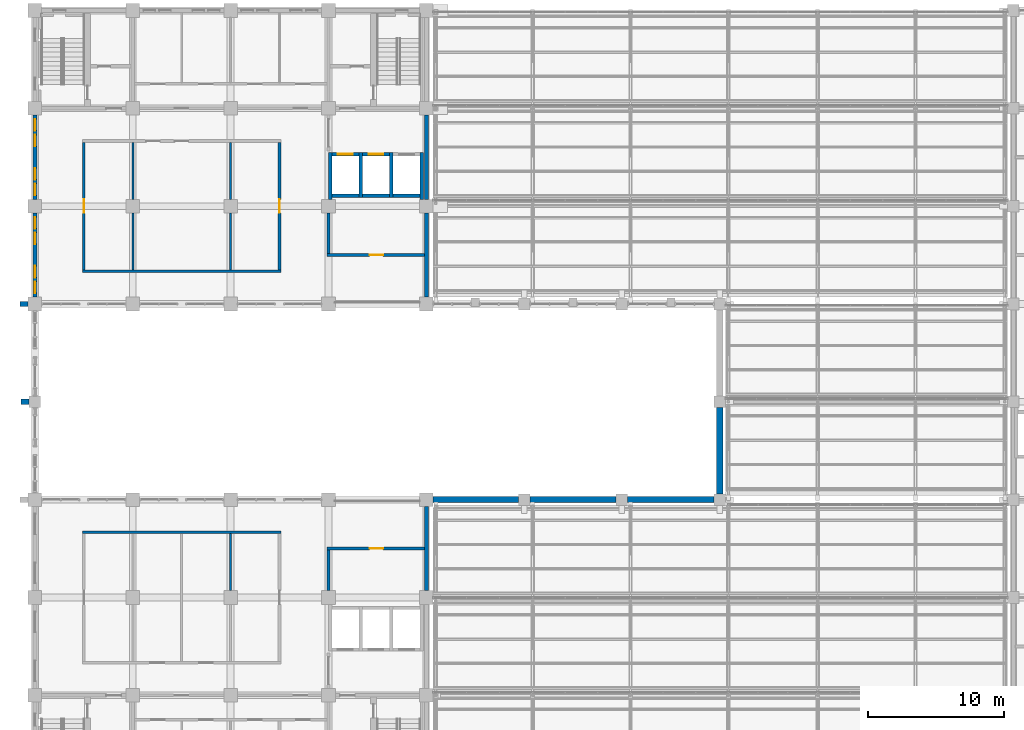
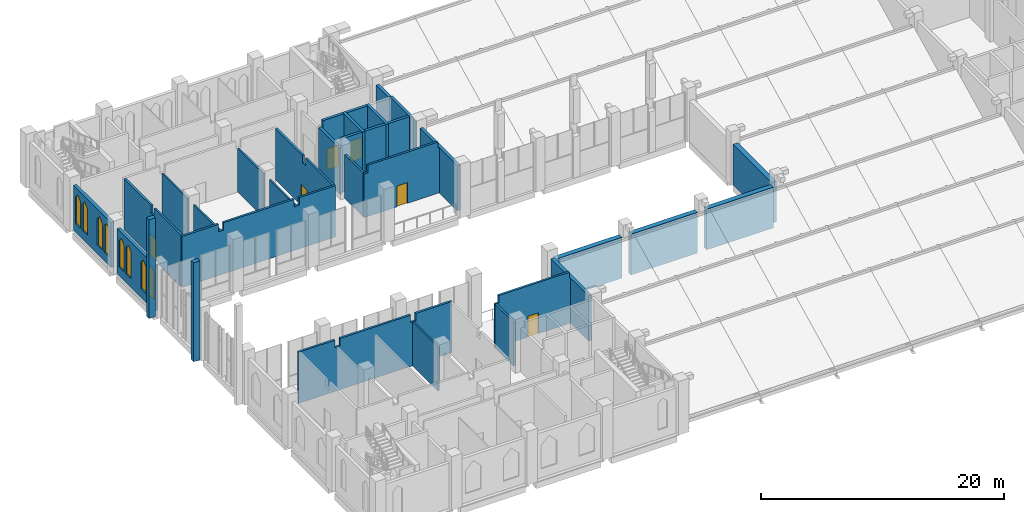
# One storey, part 71 of 83: 33 walls, 8 windows, 6 doors, 14 openings.
"""IFC4 building model written with IfcOpenShell, lengths in metres."""

from ifc_helpers import new_model, si_unit, direction, frame, frame_2d, origin, place, context, subcontext, project, spatial, polyline, rectangle, outline, extrude, material, layer, layer_set, type_object, element, fill, save


model = new_model("IFC4")

# Units and contexts
model_context = context("Model", 3, precision=1e-05, world=origin(), true_north=direction((0.0, 1.0)))
body_context = subcontext(model_context, "Body", "Model", "MODEL_VIEW")
ifc_project = project(units=[si_unit("LENGTHUNIT", "METRE"), si_unit("AREAUNIT", "SQUARE_METRE"), si_unit("VOLUMEUNIT", "CUBIC_METRE"), si_unit("PLANEANGLEUNIT", "RADIAN"), si_unit("MASSUNIT", "GRAM", prefix="KILO")], contexts=[model_context])

# Site, building, storey
site_placement = place(None, origin())
site = spatial("IfcSite", under=ifc_project, at=site_placement, CompositionType="ELEMENT")
building_placement = place(site_placement, origin())
building = spatial("IfcBuilding", under=site, at=building_placement, Name="Silangan Lancet Faculty of Sciences", CompositionType="ELEMENT")
storey_placement = place(building_placement, frame((0.0, 0.0, 11.39990234375)))
storey = spatial("IfcBuildingStorey", under=building, at=storey_placement, Name="L02", CompositionType="ELEMENT", Elevation=11.39990234375)

# Wall, openings, windows
ifc_material_1 = material(Name="Concrete C40/50", Category="concrete")
ifc_layer_1 = layer(ifc_material_1, 0.300048828125)
ifc_layer_set_1 = layer_set([ifc_layer_1], Name="Concrete C40/50")
wall_type_1 = type_object("IfcWallType", Name="EW6 Stone-faced base wall", PredefinedType="STANDARD", material=ifc_layer_set_1)
wall_1_placement = place(storey_placement, frame((0.0, 36.5, 0.0), z_axis=(0.0, 0.0, 1.0), x_axis=(0.0, 1.0, 0.0)))
wall_1 = element("IfcWall", 1, at=wall_1_placement, inside=storey, type_object=wall_type_1, Name="EW-L02-W-NT-00", PredefinedType="STANDARD", context=body_context, shape_type="SweptSolid", body=[
    extrude(rectangle(XDim=6.199951171875, YDim=0.300048828125, at=frame_2d((3.10009765625, 0.0))), origin(), (0.0, 0.0, 1.0), 4.550048828125),
])
opening_1_placement = place(wall_1_placement, frame((0.300048828125, 0.0, 0.89990234375)))
opening_1 = element("IfcOpeningElement", 2, at=opening_1_placement, cuts=wall_1, Name="Opening W9", PredefinedType="OPENING", context=body_context, shape_type="SweptSolid", body=[
    extrude(outline(polyline([(0.0, 0.0), (0.85009765625, 0.0), (0.85009765625, 2.650146484375), (0.425048828125, 3.10009765625), (0.0, 2.650146484375), (0.0, 0.0)])), frame((0.0, 0.159912109375, 0.0), z_axis=(0.0, -1.0, 0.0), x_axis=(1.0, 0.0, 0.0)), (0.0, 0.0, 1.0), 0.320068359375),
])
opening_2_placement = place(wall_1_placement, frame((1.449951171875, 0.0, 0.89990234375)))
opening_2 = element("IfcOpeningElement", 3, at=opening_2_placement, cuts=wall_1, Name="Opening W9", PredefinedType="OPENING", context=body_context, shape_type="SweptSolid", body=[
    extrude(outline(polyline([(0.0, 0.0), (0.85009765625, 0.0), (0.85009765625, 2.650146484375), (0.425048828125, 3.10009765625), (0.0, 2.650146484375), (0.0, 0.0)])), frame((0.0, 0.159912109375, 0.0), z_axis=(0.0, -1.0, 0.0), x_axis=(1.0, 0.0, 0.0)), (0.0, 0.0, 1.0), 0.320068359375),
])
opening_3_placement = place(wall_1_placement, frame((3.89990234375, 0.0, 0.89990234375)))
opening_3 = element("IfcOpeningElement", 4, at=opening_3_placement, cuts=wall_1, Name="Opening W9", PredefinedType="OPENING", context=body_context, shape_type="SweptSolid", body=[
    extrude(outline(polyline([(0.0, 0.0), (0.85009765625, 0.0), (0.85009765625, 2.650146484375), (0.425048828125, 3.10009765625), (0.0, 2.650146484375), (0.0, 0.0)])), frame((0.0, 0.159912109375, 0.0), z_axis=(0.0, -1.0, 0.0), x_axis=(1.0, 0.0, 0.0)), (0.0, 0.0, 1.0), 0.320068359375),
])
opening_4_placement = place(wall_1_placement, frame((5.050048828125, 0.0, 0.89990234375)))
opening_4 = element("IfcOpeningElement", 5, at=opening_4_placement, cuts=wall_1, Name="Opening W9", PredefinedType="OPENING", context=body_context, shape_type="SweptSolid", body=[
    extrude(outline(polyline([(0.0, 0.0), (0.85009765625, 0.0), (0.85009765625, 2.650146484375), (0.425048828125, 3.10009765625), (0.0, 2.650146484375), (0.0, 0.0)])), frame((0.0, 0.159912109375, 0.0), z_axis=(0.0, -1.0, 0.0), x_axis=(1.0, 0.0, 0.0)), (0.0, 0.0, 1.0), 0.320068359375),
])
ifc_material_2 = material(Name="Aluminium frame, laminated double glazing", Category="aluminium")
window_type = type_object("IfcWindowType", Name="W9 Lancet window 850 x 3100", PartitioningType="SINGLE_PANEL", PredefinedType="WINDOW", material=ifc_material_2)
window_1_placement = place(opening_1_placement, origin())
window_1 = element("IfcWindow", 6, at=window_1_placement, inside=storey, type_object=window_type, Name="WIN-L02-W-NT-00a1", OverallHeight=3.10009765625, OverallWidth=0.85009765625, PartitioningType="SINGLE_PANEL", PredefinedType="WINDOW", context=body_context, shape_type="SweptSolid", body=[
    extrude(outline(polyline([(0.0, 0.0), (0.85009765625, 0.0), (0.85009765625, 2.650146484375), (0.425048828125, 3.10009765625), (0.0, 2.650146484375), (0.0, 0.0)])), frame((0.0, 0.030029296875, 0.0), z_axis=(0.0, -1.0, 0.0), x_axis=(1.0, 0.0, 0.0)), (0.0, 0.0, 1.0), 0.06005859375),
])
fill(opening_1, window_1)
window_2_placement = place(opening_2_placement, origin())
window_2 = element("IfcWindow", 7, at=window_2_placement, inside=storey, type_object=window_type, Name="WIN-L02-W-NT-00a2", OverallHeight=3.10009765625, OverallWidth=0.85009765625, PartitioningType="SINGLE_PANEL", PredefinedType="WINDOW", context=body_context, shape_type="SweptSolid", body=[
    extrude(outline(polyline([(0.0, 0.0), (0.85009765625, 0.0), (0.85009765625, 2.650146484375), (0.425048828125, 3.10009765625), (0.0, 2.650146484375), (0.0, 0.0)])), frame((0.0, 0.030029296875, 0.0), z_axis=(0.0, -1.0, 0.0), x_axis=(1.0, 0.0, 0.0)), (0.0, 0.0, 1.0), 0.06005859375),
])
fill(opening_2, window_2)
window_3_placement = place(opening_3_placement, origin())
window_3 = element("IfcWindow", 8, at=window_3_placement, inside=storey, type_object=window_type, Name="WIN-L02-W-NT-00b1", OverallHeight=3.10009765625, OverallWidth=0.85009765625, PartitioningType="SINGLE_PANEL", PredefinedType="WINDOW", context=body_context, shape_type="SweptSolid", body=[
    extrude(outline(polyline([(0.0, 0.0), (0.85009765625, 0.0), (0.85009765625, 2.650146484375), (0.425048828125, 3.10009765625), (0.0, 2.650146484375), (0.0, 0.0)])), frame((0.0, 0.030029296875, 0.0), z_axis=(0.0, -1.0, 0.0), x_axis=(1.0, 0.0, 0.0)), (0.0, 0.0, 1.0), 0.06005859375),
])
fill(opening_3, window_3)
window_4_placement = place(opening_4_placement, origin())
window_4 = element("IfcWindow", 9, at=window_4_placement, inside=storey, type_object=window_type, Name="WIN-L02-W-NT-00b2", OverallHeight=3.10009765625, OverallWidth=0.85009765625, PartitioningType="SINGLE_PANEL", PredefinedType="WINDOW", context=body_context, shape_type="SweptSolid", body=[
    extrude(outline(polyline([(0.0, 0.0), (0.85009765625, 0.0), (0.85009765625, 2.650146484375), (0.425048828125, 3.10009765625), (0.0, 2.650146484375), (0.0, 0.0)])), frame((0.0, 0.030029296875, 0.0), z_axis=(0.0, -1.0, 0.0), x_axis=(1.0, 0.0, 0.0)), (0.0, 0.0, 1.0), 0.06005859375),
])
fill(opening_4, window_4)

wall_2_placement = place(storey_placement, frame((0.0, 43.699951171875, 0.0), z_axis=(0.0, 0.0, 1.0), x_axis=(0.0, 1.0, 0.0)))
wall_2 = element("IfcWall", 10, at=wall_2_placement, inside=storey, type_object=wall_type_1, Name="EW-L02-W-NT-01", PredefinedType="STANDARD", context=body_context, shape_type="SweptSolid", body=[
    extrude(rectangle(XDim=6.199951171875, YDim=0.300048828125, at=frame_2d((3.10009765625, 0.0))), origin(), (0.0, 0.0, 1.0), 4.550048828125),
])
opening_5_placement = place(wall_2_placement, frame((0.300048828125, 0.0, 0.89990234375)))
opening_5 = element("IfcOpeningElement", 11, at=opening_5_placement, cuts=wall_2, Name="Opening W9", PredefinedType="OPENING", context=body_context, shape_type="SweptSolid", body=[
    extrude(outline(polyline([(0.0, 0.0), (0.85009765625, 0.0), (0.85009765625, 2.650146484375), (0.425048828125, 3.10009765625), (0.0, 2.650146484375), (0.0, 0.0)])), frame((0.0, 0.159912109375, 0.0), z_axis=(0.0, -1.0, 0.0), x_axis=(1.0, 0.0, 0.0)), (0.0, 0.0, 1.0), 0.320068359375),
])
opening_6_placement = place(wall_2_placement, frame((1.449951171875, 0.0, 0.89990234375)))
opening_6 = element("IfcOpeningElement", 12, at=opening_6_placement, cuts=wall_2, Name="Opening W9", PredefinedType="OPENING", context=body_context, shape_type="SweptSolid", body=[
    extrude(outline(polyline([(0.0, 0.0), (0.85009765625, 0.0), (0.85009765625, 2.650146484375), (0.425048828125, 3.10009765625), (0.0, 2.650146484375), (0.0, 0.0)])), frame((0.0, 0.159912109375, 0.0), z_axis=(0.0, -1.0, 0.0), x_axis=(1.0, 0.0, 0.0)), (0.0, 0.0, 1.0), 0.320068359375),
])
opening_7_placement = place(wall_2_placement, frame((3.89990234375, 0.0, 0.89990234375)))
opening_7 = element("IfcOpeningElement", 13, at=opening_7_placement, cuts=wall_2, Name="Opening W9", PredefinedType="OPENING", context=body_context, shape_type="SweptSolid", body=[
    extrude(outline(polyline([(0.0, 0.0), (0.85009765625, 0.0), (0.85009765625, 2.650146484375), (0.425048828125, 3.10009765625), (0.0, 2.650146484375), (0.0, 0.0)])), frame((0.0, 0.159912109375, 0.0), z_axis=(0.0, -1.0, 0.0), x_axis=(1.0, 0.0, 0.0)), (0.0, 0.0, 1.0), 0.320068359375),
])
opening_8_placement = place(wall_2_placement, frame((5.050048828125, 0.0, 0.89990234375)))
opening_8 = element("IfcOpeningElement", 14, at=opening_8_placement, cuts=wall_2, Name="Opening W9", PredefinedType="OPENING", context=body_context, shape_type="SweptSolid", body=[
    extrude(outline(polyline([(0.0, 0.0), (0.85009765625, 0.0), (0.85009765625, 2.650146484375), (0.425048828125, 3.10009765625), (0.0, 2.650146484375), (0.0, 0.0)])), frame((0.0, 0.159912109375, 0.0), z_axis=(0.0, -1.0, 0.0), x_axis=(1.0, 0.0, 0.0)), (0.0, 0.0, 1.0), 0.320068359375),
])
window_5_placement = place(opening_5_placement, origin())
window_5 = element("IfcWindow", 15, at=window_5_placement, inside=storey, type_object=window_type, Name="WIN-L02-W-NT-01a1", OverallHeight=3.10009765625, OverallWidth=0.85009765625, PartitioningType="SINGLE_PANEL", PredefinedType="WINDOW", context=body_context, shape_type="SweptSolid", body=[
    extrude(outline(polyline([(0.0, 0.0), (0.85009765625, 0.0), (0.85009765625, 2.650146484375), (0.425048828125, 3.10009765625), (0.0, 2.650146484375), (0.0, 0.0)])), frame((0.0, 0.030029296875, 0.0), z_axis=(0.0, -1.0, 0.0), x_axis=(1.0, 0.0, 0.0)), (0.0, 0.0, 1.0), 0.06005859375),
])
fill(opening_5, window_5)
window_6_placement = place(opening_6_placement, origin())
window_6 = element("IfcWindow", 16, at=window_6_placement, inside=storey, type_object=window_type, Name="WIN-L02-W-NT-01a2", OverallHeight=3.10009765625, OverallWidth=0.85009765625, PartitioningType="SINGLE_PANEL", PredefinedType="WINDOW", context=body_context, shape_type="SweptSolid", body=[
    extrude(outline(polyline([(0.0, 0.0), (0.85009765625, 0.0), (0.85009765625, 2.650146484375), (0.425048828125, 3.10009765625), (0.0, 2.650146484375), (0.0, 0.0)])), frame((0.0, 0.030029296875, 0.0), z_axis=(0.0, -1.0, 0.0), x_axis=(1.0, 0.0, 0.0)), (0.0, 0.0, 1.0), 0.06005859375),
])
fill(opening_6, window_6)
window_7_placement = place(opening_7_placement, origin())
window_7 = element("IfcWindow", 17, at=window_7_placement, inside=storey, type_object=window_type, Name="WIN-L02-W-NT-01b1", OverallHeight=3.10009765625, OverallWidth=0.85009765625, PartitioningType="SINGLE_PANEL", PredefinedType="WINDOW", context=body_context, shape_type="SweptSolid", body=[
    extrude(outline(polyline([(0.0, 0.0), (0.85009765625, 0.0), (0.85009765625, 2.650146484375), (0.425048828125, 3.10009765625), (0.0, 2.650146484375), (0.0, 0.0)])), frame((0.0, 0.030029296875, 0.0), z_axis=(0.0, -1.0, 0.0), x_axis=(1.0, 0.0, 0.0)), (0.0, 0.0, 1.0), 0.06005859375),
])
fill(opening_7, window_7)
window_8_placement = place(opening_8_placement, origin())
window_8 = element("IfcWindow", 18, at=window_8_placement, inside=storey, type_object=window_type, Name="WIN-L02-W-NT-01b2", OverallHeight=3.10009765625, OverallWidth=0.85009765625, PartitioningType="SINGLE_PANEL", PredefinedType="WINDOW", context=body_context, shape_type="SweptSolid", body=[
    extrude(outline(polyline([(0.0, 0.0), (0.85009765625, 0.0), (0.85009765625, 2.650146484375), (0.425048828125, 3.10009765625), (0.0, 2.650146484375), (0.0, 0.0)])), frame((0.0, 0.030029296875, 0.0), z_axis=(0.0, -1.0, 0.0), x_axis=(1.0, 0.0, 0.0)), (0.0, 0.0, 1.0), 0.06005859375),
])
fill(opening_8, window_8)

# Walls
wall_3_placement = place(storey_placement, frame((28.800048828125, 14.89990234375, 0.0), z_axis=(0.0, 0.0, 1.0), x_axis=(0.0, 1.0, 0.0)))
element("IfcWall", 19, at=wall_3_placement, inside=storey, type_object=wall_type_1, Name="EW-L02-E-ST-02", PredefinedType="STANDARD", context=body_context, shape_type="SweptSolid", body=[
    extrude(rectangle(XDim=6.2001953125, YDim=0.300048828125, at=frame_2d((3.10009765625, 0.0))), origin(), (0.0, 0.0, 1.0), 4.550048828125),
])
for number, where, z_axis, x_axis, name in (
    (20, (28.800048828125, 36.5, 0.0), (0.0, 0.0, 1.0), (0.0, 1.0, 0.0), "EW-L02-E-NT-00"),
    (21, (28.800048828125, 43.699951171875, 0.0), (0.0, 0.0, 1.0), (0.0, 1.0, 0.0), "EW-L02-E-NT-01"),
):
    element("IfcWall", number, at=place(storey_placement, frame(where, z_axis=z_axis, x_axis=x_axis)), inside=storey, type_object=wall_type_1, Name=name, PredefinedType="STANDARD", context=body_context, shape_type="SweptSolid", body=[
        extrude(rectangle(XDim=6.199951171875, YDim=0.300048828125, at=frame_2d((3.10009765625, 0.0))), origin(), (0.0, 0.0, 1.0), 4.550048828125),
    ])
ifc_material_3 = material(Name="Concrete C40/50", Category="concrete")
ifc_layer_2 = layer(ifc_material_3, 0.449951171875)
ifc_layer_set_2 = layer_set([ifc_layer_2], Name="Concrete C40/50")
wall_type_2 = type_object("IfcWallType", Name="EW8 Clerestory wall with deep reveals", PredefinedType="STANDARD", material=ifc_layer_set_2)
wall_4_placement = place(storey_placement, frame((29.300048828125, 21.60009765625, 0.0), z_axis=(0.0, 0.0, 1.0), x_axis=(1.0, 0.0, 0.0)))
element("IfcWall", 22, at=wall_4_placement, inside=storey, type_object=wall_type_2, Name="EW-L02-S-NAVE-CL-00", PredefinedType="STANDARD", context=body_context, shape_type="SweptSolid", body=[
    extrude(rectangle(XDim=6.27490234375, YDim=0.449951171875, at=frame_2d((3.137451171875, 0.0))), origin(), (0.0, 0.0, 1.0), 4.10009765625),
])
wall_5_placement = place(storey_placement, frame((36.425048828125, 21.60009765625, 0.0), z_axis=(0.0, 0.0, 1.0), x_axis=(1.0, 0.0, 0.0)))
element("IfcWall", 23, at=wall_5_placement, inside=storey, type_object=wall_type_2, Name="EW-L02-S-NAVE-CL-01", PredefinedType="STANDARD", context=body_context, shape_type="SweptSolid", body=[
    extrude(rectangle(XDim=6.349853515625, YDim=0.449951171875, at=frame_2d((3.1748046875, 0.0))), origin(), (0.0, 0.0, 1.0), 4.10009765625),
])
for number, where, z_axis, x_axis, name in (
    (24, (43.625, 21.60009765625, 0.0), (0.0, 0.0, 1.0), (1.0, 0.0, 0.0), "EW-L02-S-NAVE-CL-02"),
    (25, (50.39990234375, 22.02490234375, 0.0), (0.0, 0.0, 1.0), (0.0, 1.0, 0.0), "EW-L02-E-NAVE-00"),
):
    element("IfcWall", number, at=place(storey_placement, frame(where, z_axis=z_axis, x_axis=x_axis)), inside=storey, type_object=wall_type_2, Name=name, PredefinedType="STANDARD", context=body_context, shape_type="SweptSolid", body=[
        extrude(rectangle(XDim=6.35009765625, YDim=0.449951171875, at=frame_2d((3.175048828125, 0.0))), origin(), (0.0, 0.0, 1.0), 4.10009765625),
    ])
ifc_material_4 = material(Name="Concrete C40/50 precast", Category="concrete")
ifc_layer_3 = layer(ifc_material_4, 0.39990234375)
ifc_layer_set_3 = layer_set([ifc_layer_3], Name="Concrete C40/50 precast")
wall_type_3 = type_object("IfcWallType", Name="FN20 Buttress Fin column line stage 1 9950", PredefinedType="POLYGONAL", material=ifc_layer_set_3)
wall_6_placement = place(storey_placement, frame((-0.5, 36.0, 0.0), z_axis=(0.0, 0.0, 1.0), x_axis=(-1.0, 0.0, 0.0)))
element("IfcWall", 26, at=wall_6_placement, inside=storey, type_object=wall_type_3, Name="FINC-W-NAVE-03", PredefinedType="POLYGONAL", context=body_context, shape_type="SweptSolid", body=[
    extrude(outline(polyline([(0.60009765625, 0.0), (0.60009765625, 9.9501953125), (0.0, 9.9501953125), (0.0, 0.0), (0.60009765625, 0.0)])), frame((0.0, 0.199951171875, 0.0), z_axis=(0.0, -1.0, 0.0), x_axis=(1.0, 0.0, 0.0)), (0.0, 0.0, 1.0), 0.39990234375),
])
ifc_material_5 = material(Name="Concrete C40/50 precast", Category="concrete")
ifc_layer_4 = layer(ifc_material_5, 0.39990234375)
ifc_layer_set_4 = layer_set([ifc_layer_4], Name="Concrete C40/50 precast")
wall_type_4 = type_object("IfcWallType", Name="FN23 Buttress Fin column line stage 1 9950", PredefinedType="POLYGONAL", material=ifc_layer_set_4)
wall_7_placement = place(storey_placement, frame((-0.425048828125, 28.800048828125, 0.0), z_axis=(0.0, 0.0, 1.0), x_axis=(-1.0, 0.0, 0.0)))
element("IfcWall", 27, at=wall_7_placement, inside=storey, type_object=wall_type_4, Name="FINC-W-NAVE-02", PredefinedType="POLYGONAL", context=body_context, shape_type="SweptSolid", body=[
    extrude(outline(polyline([(0.60009765625, 0.0), (0.60009765625, 9.9501953125), (0.0, 9.9501953125), (0.0, 0.0), (0.60009765625, 0.0)])), frame((0.0, 0.199951171875, 0.0), z_axis=(0.0, -1.0, 0.0), x_axis=(1.0, 0.0, 0.0)), (0.0, 0.0, 1.0), 0.39990234375),
])

# Wall, opening, door
ifc_material_6 = material(Name="Hollow block masonry fm 7 MPa", Category="masonry")
ifc_layer_5 = layer(ifc_material_6, 0.199951171875)
ifc_layer_set_5 = layer_set([ifc_layer_5], Name="Hollow block masonry fm 7 MPa")
wall_type_5 = type_object("IfcWallType", Name="Interior wall PW1 Corridor wall CHB 200", PredefinedType="PARTITIONING", material=ifc_layer_set_5)
wall_8_placement = place(storey_placement, frame((21.5, 18.0, 0.0), z_axis=(0.0, 0.0, 1.0), x_axis=(1.0, 0.0, 0.0)))
wall_8 = element("IfcWall", 28, at=wall_8_placement, inside=storey, type_object=wall_type_5, Name="Corridor wall CHB 200", PredefinedType="PARTITIONING", context=body_context, shape_type="SweptSolid", body=[
    extrude(outline(polyline([(0.0, 0.0), (7.14990234375, 0.0), (7.14990234375, 4.550048828125), (7.050048828125, 4.550048828125), (7.050048828125, 5.150146484375), (0.35009765625, 5.150146484375), (0.35009765625, 4.400146484375), (0.0, 4.400146484375), (0.0, 0.0)])), frame((0.0, 0.10009765625, 0.0), z_axis=(0.0, -1.0, 0.0), x_axis=(1.0, 0.0, 0.0)), (0.0, 0.0, 1.0), 0.199951171875),
])
opening_9_placement = place(wall_8_placement, frame((3.125, 0.0, 0.0)))
opening_9 = element("IfcOpeningElement", 29, at=opening_9_placement, cuts=wall_8, Name="Opening L02-017", PredefinedType="OPENING", context=body_context, shape_type="SweptSolid", body=[
    extrude(rectangle(XDim=1.0, YDim=2.10009765625, at=frame_2d((0.5, 1.050048828125))), frame((0.0, 0.10986328125, 0.0), z_axis=(0.0, -1.0, 0.0), x_axis=(1.0, 0.0, 0.0)), (0.0, 0.0, 1.0), 0.219970703125),
])
ifc_material_7 = material(Name="Steel fire door set", Category="steel")
door_type_1 = type_object("IfcDoorType", Name="Door D1 Single leaf fire door 1000 x 2100", OperationType="SINGLE_SWING_LEFT", PredefinedType="DOOR", material=ifc_material_7)
door_1_placement = place(opening_9_placement, frame((1.0, 0.0, 0.0), z_axis=(0.0, 0.0, 1.0), x_axis=(-1.0, 0.0, 0.0)))
door_1 = element("IfcDoor", 30, at=door_1_placement, inside=storey, type_object=door_type_1, Name="Single leaf fire door 1000 x 2100", OperationType="SINGLE_SWING_RIGHT", OverallHeight=2.10009765625, OverallWidth=1.0, PredefinedType="DOOR", context=body_context, shape_type="SweptSolid", body=[
    extrude(rectangle(XDim=1.0, YDim=2.10009765625, at=frame_2d((0.5, 1.050048828125))), frame((0.0, 0.025146484375, 0.0), z_axis=(0.0, -1.0, 0.0), x_axis=(1.0, 0.0, 0.0)), (0.0, 0.0, 1.0), 0.050048828125),
])
fill(opening_9, door_1)

# Walls
for number, where, z_axis, x_axis, name in (
    (31, (3.5, 19.199951171875, 0.0), (0.0, 0.0, 1.0), (1.0, 0.0, 0.0), "Corridor wall CHB 200"),
    (32, (3.5, 38.39990234375, 0.0), (0.0, 0.0, 1.0), (1.0, 0.0, 0.0), "Corridor wall CHB 200"),
):
    element("IfcWall", number, at=place(storey_placement, frame(where, z_axis=z_axis, x_axis=x_axis)), inside=storey, type_object=wall_type_5, Name=name, PredefinedType="PARTITIONING", context=body_context, shape_type="SweptSolid", body=[
        extrude(outline(polyline([(0.0, 0.0), (14.60009765625, 0.0), (14.60009765625, 5.150146484375), (11.14990234375, 5.150146484375), (11.14990234375, 4.400146484375), (10.64990234375, 4.400146484375), (10.64990234375, 5.150146484375), (3.949951171875, 5.150146484375), (3.949951171875, 4.400146484375), (3.449951171875, 4.400146484375), (3.449951171875, 5.150146484375), (0.0, 5.150146484375), (0.0, 0.0)])), frame((0.0, 0.10009765625, 0.0), z_axis=(0.0, -1.0, 0.0), x_axis=(1.0, 0.0, 0.0)), (0.0, 0.0, 1.0), 0.199951171875),
    ])

# Wall, opening, door
wall_9_placement = place(storey_placement, frame((21.5, 39.60009765625, 0.0), z_axis=(0.0, 0.0, 1.0), x_axis=(1.0, 0.0, 0.0)))
wall_9 = element("IfcWall", 33, at=wall_9_placement, inside=storey, type_object=wall_type_5, Name="Corridor wall CHB 200", PredefinedType="PARTITIONING", context=body_context, shape_type="SweptSolid", body=[
    extrude(outline(polyline([(0.0, 0.0), (7.14990234375, 0.0), (7.14990234375, 4.550048828125), (7.050048828125, 4.550048828125), (7.050048828125, 5.150146484375), (0.35009765625, 5.150146484375), (0.35009765625, 4.400146484375), (0.0, 4.400146484375), (0.0, 0.0)])), frame((0.0, 0.10009765625, 0.0), z_axis=(0.0, -1.0, 0.0), x_axis=(1.0, 0.0, 0.0)), (0.0, 0.0, 1.0), 0.199951171875),
])
opening_10_placement = place(wall_9_placement, frame((3.125, 0.0, 0.0)))
opening_10 = element("IfcOpeningElement", 34, at=opening_10_placement, cuts=wall_9, Name="Opening L02-026", PredefinedType="OPENING", context=body_context, shape_type="SweptSolid", body=[
    extrude(rectangle(XDim=1.0, YDim=2.10009765625, at=frame_2d((0.5, 1.050048828125))), frame((0.0, 0.10986328125, 0.0), z_axis=(0.0, -1.0, 0.0), x_axis=(1.0, 0.0, 0.0)), (0.0, 0.0, 1.0), 0.219970703125),
])
door_2_placement = place(opening_10_placement, origin())
door_2 = element("IfcDoor", 35, at=door_2_placement, inside=storey, type_object=door_type_1, Name="Single leaf fire door 1000 x 2100", OperationType="SINGLE_SWING_LEFT", OverallHeight=2.10009765625, OverallWidth=1.0, PredefinedType="DOOR", context=body_context, shape_type="SweptSolid", body=[
    extrude(rectangle(XDim=1.0, YDim=2.10009765625, at=frame_2d((0.5, 1.050048828125))), frame((0.0, 0.02490234375, 0.0), z_axis=(0.0, -1.0, 0.0), x_axis=(1.0, 0.0, 0.0)), (0.0, 0.0, 1.0), 0.050048828125),
])
fill(opening_10, door_2)

wall_10_placement = place(storey_placement, frame((3.60009765625, 38.5, 0.0), z_axis=(0.0, 0.0, 1.0), x_axis=(0.0, 1.0, 0.0)))
wall_10 = element("IfcWall", 36, at=wall_10_placement, inside=storey, type_object=wall_type_5, Name="Corridor wall CHB 200", PredefinedType="PARTITIONING", context=body_context, shape_type="SweptSolid", body=[
    extrude(outline(polyline([(0.0, 0.0), (9.39990234375, 0.0), (9.39990234375, 5.150146484375), (4.949951171875, 5.150146484375), (4.949951171875, 4.400146484375), (4.449951171875, 4.400146484375), (4.449951171875, 5.150146484375), (0.0, 5.150146484375), (0.0, 0.0)])), frame((0.0, 0.10009765625, 0.0), z_axis=(0.0, -1.0, 0.0), x_axis=(1.0, 0.0, 0.0)), (0.0, 0.0, 1.0), 0.199951171875),
])
opening_11_placement = place(wall_10_placement, frame((4.199951171875, 0.0, 0.0)))
opening_11 = element("IfcOpeningElement", 37, at=opening_11_placement, cuts=wall_10, Name="Opening L02-022", PredefinedType="OPENING", context=body_context, shape_type="SweptSolid", body=[
    extrude(rectangle(XDim=1.0, YDim=2.10009765625, at=frame_2d((0.5, 1.050048828125))), frame((0.0, 0.10986328125, 0.0), z_axis=(0.0, -1.0, 0.0), x_axis=(1.0, 0.0, 0.0)), (0.0, 0.0, 1.0), 0.219970703125),
])
door_3_placement = place(opening_11_placement, frame((1.0, 0.0, 0.0), z_axis=(0.0, 0.0, 1.0), x_axis=(-1.0, 0.0, 0.0)))
door_3 = element("IfcDoor", 38, at=door_3_placement, inside=storey, type_object=door_type_1, Name="Single leaf fire door 1000 x 2100", OperationType="SINGLE_SWING_LEFT", OverallHeight=2.10009765625, OverallWidth=1.0, PredefinedType="DOOR", context=body_context, shape_type="SweptSolid", body=[
    extrude(rectangle(XDim=1.0, YDim=2.10009765625, at=frame_2d((0.5, 1.050048828125))), frame((0.0, 0.025146484375, 0.0), z_axis=(0.0, -1.0, 0.0), x_axis=(1.0, 0.0, 0.0)), (0.0, 0.0, 1.0), 0.050048828125),
])
fill(opening_11, door_3)

wall_11_placement = place(storey_placement, frame((18.0, 38.5, 0.0), z_axis=(0.0, 0.0, 1.0), x_axis=(0.0, 1.0, 0.0)))
wall_11 = element("IfcWall", 39, at=wall_11_placement, inside=storey, type_object=wall_type_5, Name="Corridor wall CHB 200", PredefinedType="PARTITIONING", context=body_context, shape_type="SweptSolid", body=[
    extrude(outline(polyline([(0.0, 0.0), (9.39990234375, 0.0), (9.39990234375, 5.150146484375), (4.949951171875, 5.150146484375), (4.949951171875, 4.400146484375), (4.449951171875, 4.400146484375), (4.449951171875, 5.150146484375), (0.0, 5.150146484375), (0.0, 0.0)])), frame((0.0, 0.10009765625, 0.0), z_axis=(0.0, -1.0, 0.0), x_axis=(1.0, 0.0, 0.0)), (0.0, 0.0, 1.0), 0.199951171875),
])
opening_12_placement = place(wall_11_placement, frame((4.199951171875, 0.0, 0.0)))
opening_12 = element("IfcOpeningElement", 40, at=opening_12_placement, cuts=wall_11, Name="Opening L02-025", PredefinedType="OPENING", context=body_context, shape_type="SweptSolid", body=[
    extrude(rectangle(XDim=1.0, YDim=2.10009765625, at=frame_2d((0.5, 1.050048828125))), frame((0.0, 0.10986328125, 0.0), z_axis=(0.0, -1.0, 0.0), x_axis=(1.0, 0.0, 0.0)), (0.0, 0.0, 1.0), 0.219970703125),
])
door_4_placement = place(opening_12_placement, origin())
door_4 = element("IfcDoor", 41, at=door_4_placement, inside=storey, type_object=door_type_1, Name="Single leaf fire door 1000 x 2100", OperationType="SINGLE_SWING_RIGHT", OverallHeight=2.10009765625, OverallWidth=1.0, PredefinedType="DOOR", context=body_context, shape_type="SweptSolid", body=[
    extrude(rectangle(XDim=1.0, YDim=2.10009765625, at=frame_2d((0.5, 1.050048828125))), frame((0.0, 0.02490234375, 0.0), z_axis=(0.0, -1.0, 0.0), x_axis=(1.0, 0.0, 0.0)), (0.0, 0.0, 1.0), 0.050048828125),
])
fill(opening_12, door_4)

# Walls
for number, where, z_axis, x_axis, name in (
    (42, (21.60009765625, 14.89990234375, 0.0), (0.0, 0.0, 1.0), (0.0, 1.0, 0.0), "Corridor wall CHB 200"),
    (43, (21.60009765625, 39.699951171875, 0.0), (0.0, 0.0, 1.0), (0.0, 1.0, 0.0), "Corridor wall CHB 200"),
):
    element("IfcWall", number, at=place(storey_placement, frame(where, z_axis=z_axis, x_axis=x_axis)), inside=storey, type_object=wall_type_5, Name=name, PredefinedType="PARTITIONING", context=body_context, shape_type="SweptSolid", body=[
        extrude(rectangle(XDim=3.0, YDim=0.199951171875, at=frame_2d((1.5, 0.0))), origin(), (0.0, 0.0, 1.0), 4.400146484375),
    ])
ifc_material_8 = material(Name="Hollow block masonry fm 7 MPa", Category="masonry")
ifc_layer_6 = layer(ifc_material_8, 0.14990234375)
ifc_layer_set_6 = layer_set([ifc_layer_6], Name="Hollow block masonry fm 7 MPa")
wall_type_6 = type_object("IfcWallType", Name="Interior wall PW3 Partition CHB 150", PredefinedType="PARTITIONING", material=ifc_layer_set_6)
for number, where, z_axis, x_axis, name in (
    (44, (7.199951171875, 38.5, 0.0), (0.0, 0.0, 1.0), (0.0, 1.0, 0.0), "Partition CHB 150"),
    (45, (7.199951171875, 43.699951171875, 0.0), (0.0, 0.0, 1.0), (0.0, 1.0, 0.0), "Partition CHB 150"),
):
    element("IfcWall", number, at=place(storey_placement, frame(where, z_axis=z_axis, x_axis=x_axis)), inside=storey, type_object=wall_type_6, Name=name, PredefinedType="PARTITIONING", context=body_context, shape_type="SweptSolid", body=[
        extrude(rectangle(XDim=4.199951171875, YDim=0.14990234375, at=frame_2d((2.10009765625, 0.0))), origin(), (0.0, 0.0, 1.0), 4.400146484375),
    ])
wall_12_placement = place(storey_placement, frame((14.39990234375, 14.89990234375, 0.0), z_axis=(0.0, 0.0, 1.0), x_axis=(0.0, 1.0, 0.0)))
element("IfcWall", 46, at=wall_12_placement, inside=storey, type_object=wall_type_6, Name="Partition CHB 150", PredefinedType="PARTITIONING", context=body_context, shape_type="SweptSolid", body=[
    extrude(rectangle(XDim=4.2001953125, YDim=0.14990234375, at=frame_2d((2.10009765625, 0.0))), origin(), (0.0, 0.0, 1.0), 4.400146484375),
])
for number, where, z_axis, x_axis, name in (
    (47, (14.39990234375, 38.5, 0.0), (0.0, 0.0, 1.0), (0.0, 1.0, 0.0), "Partition CHB 150"),
    (48, (14.39990234375, 43.699951171875, 0.0), (0.0, 0.0, 1.0), (0.0, 1.0, 0.0), "Partition CHB 150"),
):
    element("IfcWall", number, at=place(storey_placement, frame(where, z_axis=z_axis, x_axis=x_axis)), inside=storey, type_object=wall_type_6, Name=name, PredefinedType="PARTITIONING", context=body_context, shape_type="SweptSolid", body=[
        extrude(rectangle(XDim=4.199951171875, YDim=0.14990234375, at=frame_2d((2.10009765625, 0.0))), origin(), (0.0, 0.0, 1.0), 4.400146484375),
    ])
ifc_material_9 = material(Name="Concrete C40/50", Category="concrete")
ifc_layer_7 = layer(ifc_material_9, 0.25)
ifc_layer_set_7 = layer_set([ifc_layer_7], Name="Concrete C40/50")
wall_type_7 = type_object("IfcWallType", Name="LIFT SHAFT WALL RC 250", PredefinedType="SHEAR", material=ifc_layer_set_7)
wall_13_placement = place(storey_placement, frame((21.72509765625, 43.699951171875, -0.25), z_axis=(0.0, 0.0, 1.0), x_axis=(0.0, 1.0, 0.0)))
element("IfcWall", 49, at=wall_13_placement, inside=storey, type_object=wall_type_7, Name="WALL-L02-NT-SW1", PredefinedType="SHEAR", context=body_context, shape_type="SweptSolid", body=[
    extrude(rectangle(XDim=3.449951171875, YDim=0.25, at=frame_2d((1.72509765625, 0.0))), origin(), (0.0, 0.0, 1.0), 4.650146484375),
])
for number, where, z_axis, x_axis, name in (
    (50, (23.97509765625, 43.85009765625, -0.25), (0.0, 0.0, 1.0), (0.0, 1.0, 0.0), "WALL-L02-NT-SW2"),
    (51, (26.22509765625, 43.85009765625, -0.25), (0.0, 0.0, 1.0), (0.0, 1.0, 0.0), "WALL-L02-NT-SW3"),
):
    element("IfcWall", number, at=place(storey_placement, frame(where, z_axis=z_axis, x_axis=x_axis)), inside=storey, type_object=wall_type_7, Name=name, PredefinedType="SHEAR", context=body_context, shape_type="SweptSolid", body=[
        extrude(rectangle(XDim=3.2998046875, YDim=0.25, at=frame_2d((1.64990234375, 0.0))), origin(), (0.0, 0.0, 1.0), 5.400146484375),
    ])
wall_14_placement = place(storey_placement, frame((28.47509765625, 43.699951171875, -0.25), z_axis=(0.0, 0.0, 1.0), x_axis=(0.0, 1.0, 0.0)))
element("IfcWall", 52, at=wall_14_placement, inside=storey, type_object=wall_type_7, Name="WALL-L02-NT-SW4", PredefinedType="SHEAR", context=body_context, shape_type="SweptSolid", body=[
    extrude(rectangle(XDim=3.449951171875, YDim=0.25, at=frame_2d((1.72509765625, 0.0))), origin(), (0.0, 0.0, 1.0), 5.400146484375),
])

# Wall, opening, door
wall_15_placement = place(storey_placement, frame((21.85009765625, 47.02490234375, -0.25), z_axis=(0.0, 0.0, 1.0), x_axis=(1.0, 0.0, 0.0)))
wall_15 = element("IfcWall", 53, at=wall_15_placement, inside=storey, type_object=wall_type_7, Name="WALL-L02-NT-L1-F", PredefinedType="SHEAR", context=body_context, shape_type="SweptSolid", body=[
    extrude(rectangle(XDim=2.0, YDim=0.25, at=frame_2d((1.0, 0.0))), origin(), (0.0, 0.0, 1.0), 5.400146484375),
])
opening_13_placement = place(wall_15_placement, frame((0.449951171875, 0.0, 0.25)))
opening_13 = element("IfcOpeningElement", 54, at=opening_13_placement, cuts=wall_15, Name="Opening L02-804", PredefinedType="OPENING", context=body_context, shape_type="SweptSolid", body=[
    extrude(rectangle(XDim=1.10009765625, YDim=2.10009765625, at=frame_2d((0.550048828125, 1.050048828125))), frame((0.0, 0.135009765625, 0.0), z_axis=(0.0, -1.0, 0.0), x_axis=(1.0, 0.0, 0.0)), (0.0, 0.0, 1.0), 0.27001953125),
])
ifc_material_10 = material(Name="Stainless steel sliding door", Category="steel")
door_type_2 = type_object("IfcDoorType", Name="LD1 Lift landing door 1100x2100", OperationType="SLIDING_TO_LEFT", PredefinedType="DOOR", material=ifc_material_10)
door_5_placement = place(opening_13_placement, origin())
door_5 = element("IfcDoor", 55, at=door_5_placement, inside=storey, type_object=door_type_2, Name="Landing door NT-L1 L02", OperationType="SLIDING_TO_LEFT", OverallHeight=2.10009765625, OverallWidth=1.10009765625, PredefinedType="DOOR", context=body_context, shape_type="SweptSolid", body=[
    extrude(rectangle(XDim=1.10009765625, YDim=2.10009765625, at=frame_2d((0.550048828125, 1.050048828125))), frame((0.0, 0.02490234375, 0.0), z_axis=(0.0, -1.0, 0.0), x_axis=(1.0, 0.0, 0.0)), (0.0, 0.0, 1.0), 0.050048828125),
])
fill(opening_13, door_5)

# Wall
wall_16_placement = place(storey_placement, frame((21.85009765625, 43.97509765625, -0.25), z_axis=(0.0, 0.0, 1.0), x_axis=(1.0, 0.0, 0.0)))
element("IfcWall", 56, at=wall_16_placement, inside=storey, type_object=wall_type_7, Name="WALL-L02-NT-L1-B", PredefinedType="SHEAR", context=body_context, shape_type="SweptSolid", body=[
    extrude(rectangle(XDim=2.0, YDim=0.25, at=frame_2d((1.0, 0.0))), origin(), (0.0, 0.0, 1.0), 5.400146484375),
])

# Wall, opening, door
wall_17_placement = place(storey_placement, frame((24.10009765625, 47.02490234375, -0.25), z_axis=(0.0, 0.0, 1.0), x_axis=(1.0, 0.0, 0.0)))
wall_17 = element("IfcWall", 57, at=wall_17_placement, inside=storey, type_object=wall_type_7, Name="WALL-L02-NT-L2-F", PredefinedType="SHEAR", context=body_context, shape_type="SweptSolid", body=[
    extrude(rectangle(XDim=2.0, YDim=0.25, at=frame_2d((1.0, 0.0))), origin(), (0.0, 0.0, 1.0), 5.400146484375),
])
opening_14_placement = place(wall_17_placement, frame((0.449951171875, 0.0, 0.25)))
opening_14 = element("IfcOpeningElement", 58, at=opening_14_placement, cuts=wall_17, Name="Opening L02-805", PredefinedType="OPENING", context=body_context, shape_type="SweptSolid", body=[
    extrude(rectangle(XDim=1.10009765625, YDim=2.10009765625, at=frame_2d((0.550048828125, 1.050048828125))), frame((0.0, 0.135009765625, 0.0), z_axis=(0.0, -1.0, 0.0), x_axis=(1.0, 0.0, 0.0)), (0.0, 0.0, 1.0), 0.27001953125),
])
door_6_placement = place(opening_14_placement, origin())
door_6 = element("IfcDoor", 59, at=door_6_placement, inside=storey, type_object=door_type_2, Name="Landing door NT-L2 L02", OperationType="SLIDING_TO_LEFT", OverallHeight=2.10009765625, OverallWidth=1.10009765625, PredefinedType="DOOR", context=body_context, shape_type="SweptSolid", body=[
    extrude(rectangle(XDim=1.10009765625, YDim=2.10009765625, at=frame_2d((0.550048828125, 1.050048828125))), frame((0.0, 0.02490234375, 0.0), z_axis=(0.0, -1.0, 0.0), x_axis=(1.0, 0.0, 0.0)), (0.0, 0.0, 1.0), 0.050048828125),
])
fill(opening_14, door_6)

# Walls
for number, where, z_axis, x_axis, name in (
    (60, (24.10009765625, 43.97509765625, -0.25), (0.0, 0.0, 1.0), (1.0, 0.0, 0.0), "WALL-L02-NT-L2-B"),
    (61, (26.35009765625, 43.97509765625, -0.25), (0.0, 0.0, 1.0), (1.0, 0.0, 0.0), "WALL-L02-NT-L3-B"),
):
    element("IfcWall", number, at=place(storey_placement, frame(where, z_axis=z_axis, x_axis=x_axis)), inside=storey, type_object=wall_type_7, Name=name, PredefinedType="SHEAR", context=body_context, shape_type="SweptSolid", body=[
        extrude(rectangle(XDim=2.0, YDim=0.25, at=frame_2d((1.0, 0.0))), origin(), (0.0, 0.0, 1.0), 5.400146484375),
    ])

save(model, "model.ifc")
